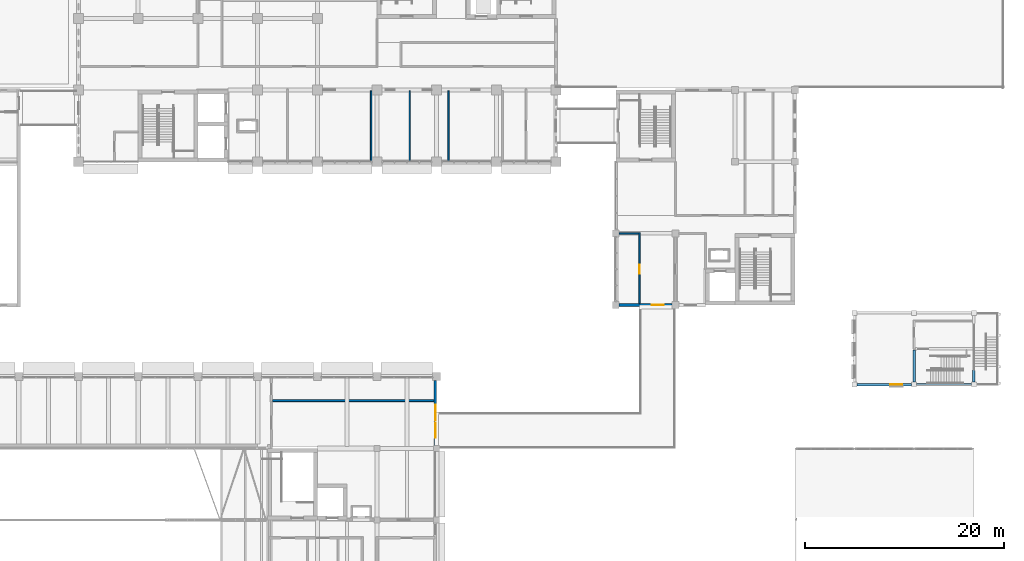
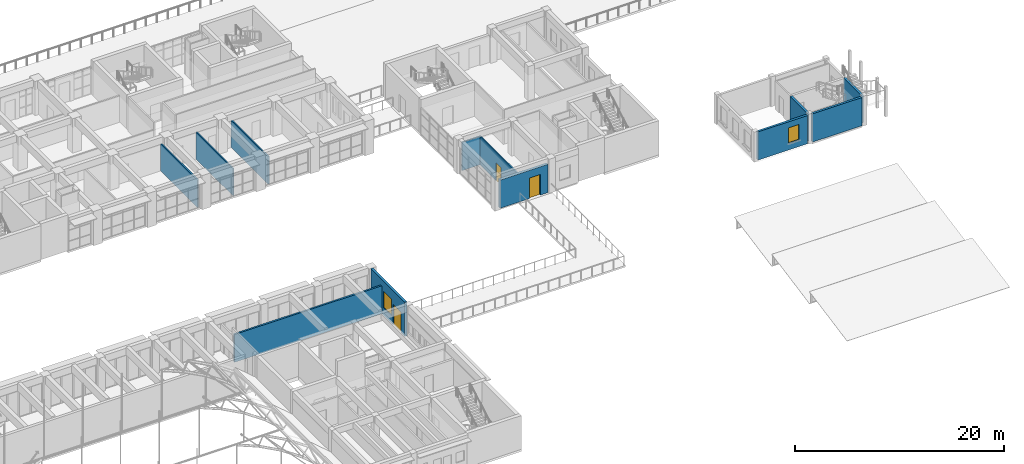
# One storey, part 75 of 101: 12 walls, 3 doors, 2 windows, 5 openings.
"""IFC4 building model written with IfcOpenShell, lengths in metres."""

from ifc_helpers import new_model, si_unit, direction, frame, frame_2d, origin, place, context, subcontext, project, spatial, rectangle, extrude, material, layer, layer_set, type_object, element, fill, save


model = new_model("IFC4")

# Units and contexts
model_context = context("Model", 3, precision=1e-05, world=origin(), true_north=direction((0.0, 1.0)))
body_context = subcontext(model_context, "Body", "Model", "MODEL_VIEW")
ifc_project = project(units=[si_unit("LENGTHUNIT", "METRE"), si_unit("AREAUNIT", "SQUARE_METRE"), si_unit("VOLUMEUNIT", "CUBIC_METRE"), si_unit("PLANEANGLEUNIT", "RADIAN"), si_unit("MASSUNIT", "GRAM", prefix="KILO")], contexts=[model_context])

# Site, building, storey
site_placement = place(None, origin())
site = spatial("IfcSite", under=ifc_project, at=site_placement, CompositionType="ELEMENT")
building_placement = place(site_placement, origin())
building = spatial("IfcBuilding", under=site, at=building_placement, Name="Laocheng Heights Fire and Rescue Headquarters", CompositionType="ELEMENT")
storey_placement = place(building_placement, frame((0.0, 0.0, 8.39990234375)))
storey = spatial("IfcBuildingStorey", under=building, at=storey_placement, Name="L02", CompositionType="ELEMENT", Elevation=8.39990234375)

# Wall, opening, door
ifc_material_1 = material(Name="Gypsum plaster")
ifc_layer_1 = layer(ifc_material_1, 0.010009765625, Name="PLASTER", Category="plaster")
ifc_material_2 = material(Name="Concrete blockwork MU10", Category="masonry")
ifc_layer_2 = layer(ifc_material_2, 0.1298828125, Name="BLOCKWORK", Category="masonry")
ifc_layer_3 = layer(ifc_material_1, 0.010009765625, Name="PLASTER", Category="plaster")
ifc_layer_set_1 = layer_set([ifc_layer_1, ifc_layer_2, ifc_layer_3], Name="Concrete blockwork MU10")
wall_type_1 = type_object("IfcWallType", Name="BLOCKWORK CORRIDOR WALL 150 EI 60 CREW WING", PredefinedType="PARTITIONING", material=ifc_layer_set_1)
wall_1_placement = place(storey_placement, frame((92.39990234375, 36.14990234375, 0.0), z_axis=(0.0, 0.0, 1.0), x_axis=(0.0, 1.0, 0.0)))
wall_1 = element("IfcWall", 1, at=wall_1_placement, inside=storey, type_object=wall_type_1, Name="Partition L02-001", PredefinedType="PARTITIONING", context=body_context, shape_type="SweptSolid", body=[
    extrude(rectangle(XDim=7.125, YDim=0.14990234375, at=frame_2d((3.5625, 0.0))), origin(), (0.0, 0.0, 1.0), 3.300048828125),
])
opening_1_placement = place(wall_1_placement, frame((3.0, 0.0, 0.0)))
opening_1 = element("IfcOpeningElement", 2, at=opening_1_placement, cuts=wall_1, Name="Opening L02-T01", PredefinedType="OPENING", context=body_context, shape_type="SweptSolid", body=[
    extrude(rectangle(XDim=0.89990234375, YDim=2.10009765625, at=frame_2d((0.449951171875, 1.050048828125))), frame((0.0, 0.0849609375, 0.0), z_axis=(0.0, -1.0, 0.0), x_axis=(1.0, 0.0, 0.0)), (0.0, 0.0, 1.0), 0.169921875),
])
ifc_material_3 = material(Name="Timber door leaf, veneered", Category="wood")
door_type_1 = type_object("IfcDoorType", Name="TIMBER DOOR 900x2100 EI 30 CREW WING", OperationType="SINGLE_SWING_LEFT", PredefinedType="DOOR", material=ifc_material_3)
door_1_placement = place(opening_1_placement, origin())
door_1 = element("IfcDoor", 3, at=door_1_placement, inside=storey, type_object=door_type_1, Name="Door L02-T01", OperationType="SINGLE_SWING_LEFT", OverallHeight=2.10009765625, OverallWidth=0.89990234375, PredefinedType="DOOR", context=body_context, shape_type="SweptSolid", body=[
    extrude(rectangle(XDim=0.89990234375, YDim=2.10009765625, at=frame_2d((0.449951171875, 1.050048828125))), frame((0.0, 0.02490234375, 0.0), z_axis=(0.0, -1.0, 0.0), x_axis=(1.0, 0.0, 0.0)), (0.0, 0.0, 1.0), 0.050048828125),
])
fill(opening_1, door_1)

# Walls
wall_2_placement = place(storey_placement, frame((90.35009765625, 43.199951171875, 0.0), z_axis=(0.0, 0.0, 1.0), x_axis=(1.0, 0.0, 0.0)))
element("IfcWall", 4, at=wall_2_placement, inside=storey, type_object=wall_type_1, Name="Partition L02-007", PredefinedType="PARTITIONING", context=body_context, shape_type="SweptSolid", body=[
    extrude(rectangle(XDim=1.974853515625, YDim=0.14990234375, at=frame_2d((0.9873046875, 0.0))), origin(), (0.0, 0.0, 1.0), 3.300048828125),
])
ifc_material_4 = material(Name="Gypsum plaster")
ifc_layer_4 = layer(ifc_material_4, 0.010009765625, Name="PLASTER", Category="plaster")
ifc_material_5 = material(Name="Concrete blockwork MU10", Category="masonry")
ifc_layer_5 = layer(ifc_material_5, 0.1298828125, Name="BLOCKWORK", Category="masonry")
ifc_layer_6 = layer(ifc_material_4, 0.010009765625, Name="PLASTER", Category="plaster")
ifc_layer_set_2 = layer_set([ifc_layer_4, ifc_layer_5, ifc_layer_6], Name="Concrete blockwork MU10")
wall_type_2 = type_object("IfcWallType", Name="BLOCKWORK CORRIDOR WALL 150 EI 60 HQ WING", PredefinedType="PARTITIONING", material=ifc_layer_set_2)
for number, where, z_axis, x_axis, name in (
    (5, (65.39990234375, 50.47509765625, 0.0), (0.0, 0.0, 1.0), (0.0, 1.0, 0.0), "Partition L02-007"),
    (6, (73.199951171875, 50.47509765625, 0.0), (0.0, 0.0, 1.0), (0.0, 1.0, 0.0), "Partition L02-011"),
):
    element("IfcWall", number, at=place(storey_placement, frame(where, z_axis=z_axis, x_axis=x_axis)), inside=storey, type_object=wall_type_2, Name=name, PredefinedType="PARTITIONING", context=body_context, shape_type="SweptSolid", body=[
        extrude(rectangle(XDim=7.0498046875, YDim=0.14990234375, at=frame_2d((3.52490234375, 0.0))), origin(), (0.0, 0.0, 1.0), 3.2001953125),
    ])
ifc_material_6 = material(Name="Gypsum plaster")
ifc_layer_7 = layer(ifc_material_6, 0.010009765625, Name="PLASTER", Category="plaster")
ifc_material_7 = material(Name="Concrete blockwork MU10", Category="masonry")
ifc_layer_8 = layer(ifc_material_7, 0.179931640625, Name="BLOCKWORK", Category="masonry")
ifc_layer_9 = layer(ifc_material_6, 0.010009765625, Name="PLASTER", Category="plaster")
ifc_layer_set_3 = layer_set([ifc_layer_7, ifc_layer_8, ifc_layer_9], Name="Concrete blockwork MU10")
wall_type_3 = type_object("IfcWallType", Name="BLOCKWORK FIRE PARTITION 200 EI 60 GALLERY", PredefinedType="PARTITIONING", material=ifc_layer_set_3)
wall_3_placement = place(storey_placement, frame((55.47509765625, 26.39990234375, 0.0), z_axis=(0.0, 0.0, 1.0), x_axis=(1.0, 0.0, 0.0)))
element("IfcWall", 7, at=wall_3_placement, inside=storey, type_object=wall_type_3, Name="Partition L02-007", PredefinedType="PARTITIONING", context=body_context, shape_type="SweptSolid", body=[
    extrude(rectangle(XDim=16.375, YDim=0.199951171875, at=frame_2d((8.1875, 0.0))), origin(), (0.0, 0.0, 1.0), 3.25),
])

# Wall, openings, door, window
ifc_material_8 = material(Name="Precast concrete C40/50", Category="concrete")
ifc_layer_10 = layer(ifc_material_8, 0.25)
ifc_layer_set_4 = layer_set([ifc_layer_10], Name="Precast concrete C40/50")
wall_type_4 = type_object("IfcWallType", Name="PRECAST PANEL WALL 250 GALLERY", PredefinedType="SOLIDWALL", material=ifc_layer_set_4)
wall_4_placement = place(storey_placement, frame((71.875, 21.89990234375, 0.0), z_axis=(0.0, 0.0, 1.0), x_axis=(0.0, 1.0, 0.0)))
wall_4 = element("IfcWall", 8, at=wall_4_placement, inside=storey, type_object=wall_type_4, Name="Gallery wall L02", PredefinedType="SOLIDWALL", context=body_context, shape_type="SweptSolid", body=[
    extrude(rectangle(XDim=6.5, YDim=0.25, at=frame_2d((3.25, 0.0))), origin(), (0.0, 0.0, 1.0), 4.0),
])
opening_2_placement = place(wall_4_placement, frame((0.75, 0.0, 0.0)))
opening_2 = element("IfcOpeningElement", 9, at=opening_2_placement, cuts=wall_4, Name="Opening L02-E02", PredefinedType="OPENING", context=body_context, shape_type="SweptSolid", body=[
    extrude(rectangle(XDim=1.5, YDim=2.39990234375, at=frame_2d((0.75, 1.199951171875))), frame((0.0, 0.135009765625, 0.0), z_axis=(0.0, -1.0, 0.0), x_axis=(1.0, 0.0, 0.0)), (0.0, 0.0, 1.0), 0.27001953125),
])
opening_3_placement = place(wall_4_placement, frame((2.5, 0.0, 0.89990234375)))
opening_3 = element("IfcOpeningElement", 10, at=opening_3_placement, cuts=wall_4, Name="Opening N3-E", PredefinedType="OPENING", context=body_context, shape_type="SweptSolid", body=[
    extrude(rectangle(XDim=1.60009765625, YDim=1.89990234375, at=frame_2d((0.800048828125, 0.949951171875))), frame((0.0, 0.135009765625, 0.0), z_axis=(0.0, -1.0, 0.0), x_axis=(1.0, 0.0, 0.0)), (0.0, 0.0, 1.0), 0.27001953125),
])
ifc_material_9 = material(Name="Aluminium framed glazed door, low-e double glazing", Category="aluminium")
door_type_2 = type_object("IfcDoorType", Name="BRIDGE DOOR DOUBLE GLAZED 1500 x 2400 EI 60", OperationType="DOUBLE_DOOR_SINGLE_SWING", PredefinedType="DOOR", material=ifc_material_9)
door_2_placement = place(opening_2_placement, frame((1.5, 0.0, 0.0), z_axis=(0.0, 0.0, 1.0), x_axis=(-1.0, 0.0, 0.0)))
door_2 = element("IfcDoor", 11, at=door_2_placement, inside=storey, type_object=door_type_2, Name="Bridge door L02-E02", OperationType="DOUBLE_DOOR_SINGLE_SWING", OverallHeight=2.39990234375, OverallWidth=1.5, PredefinedType="DOOR", context=body_context, shape_type="SweptSolid", body=[
    extrude(rectangle(XDim=1.5, YDim=2.39990234375, at=frame_2d((0.75, 1.199951171875))), frame((0.0, 0.02490234375, 0.0), z_axis=(0.0, -1.0, 0.0), x_axis=(1.0, 0.0, 0.0)), (0.0, 0.0, 1.0), 0.050048828125),
])
fill(opening_2, door_2)
ifc_material_10 = material(Name="Low-e double glazing in thermally broken aluminium frame", Category="aluminium")
window_type_1 = type_object("IfcWindowType", Name="GALLERY WINDOW 1600 x 1900 SILL 900", PartitioningType="SINGLE_PANEL", PredefinedType="WINDOW", material=ifc_material_10)
window_1_placement = place(opening_3_placement, origin())
window_1 = element("IfcWindow", 12, at=window_1_placement, inside=storey, type_object=window_type_1, Name="Gallery window L02", OverallHeight=1.89990234375, OverallWidth=1.60009765625, PartitioningType="SINGLE_PANEL", PredefinedType="WINDOW", context=body_context, shape_type="SweptSolid", body=[
    extrude(rectangle(XDim=1.60009765625, YDim=1.89990234375, at=frame_2d((0.800048828125, 0.949951171875))), frame((0.0, 0.030029296875, 0.0), z_axis=(0.0, -1.0, 0.0), x_axis=(1.0, 0.0, 0.0)), (0.0, 0.0, 1.0), 0.06005859375),
])
fill(opening_3, window_1)

# Wall, opening, door
ifc_material_11 = material(Name="Precast concrete C40/50", Category="concrete")
ifc_layer_11 = layer(ifc_material_11, 0.300048828125)
ifc_layer_set_5 = layer_set([ifc_layer_11], Name="Precast concrete C40/50")
wall_type_5 = type_object("IfcWallType", Name="PRECAST WALL PANEL CREW 300", PredefinedType="SOLIDWALL", material=ifc_layer_set_5)
wall_5_placement = place(storey_placement, frame((90.35009765625, 36.0, 0.0), z_axis=(0.0, 0.0, 1.0), x_axis=(1.0, 0.0, 0.0)))
wall_5 = element("IfcWall", 13, at=wall_5_placement, inside=storey, type_object=wall_type_5, Name="PRECAST WALL PANEL CREW CREW SOUTH L02", PredefinedType="SOLIDWALL", context=body_context, shape_type="SweptSolid", body=[
    extrude(rectangle(XDim=5.2998046875, YDim=0.300048828125, at=frame_2d((2.64990234375, 0.0))), origin(), (0.0, 0.0, 1.0), 3.300048828125),
])
opening_4_placement = place(wall_5_placement, frame((3.25, 0.0, 0.0)))
opening_4 = element("IfcOpeningElement", 14, at=opening_4_placement, cuts=wall_5, Name="Opening L02-W01", PredefinedType="OPENING", context=body_context, shape_type="SweptSolid", body=[
    extrude(rectangle(XDim=1.199951171875, YDim=2.39990234375, at=frame_2d((0.60009765625, 1.199951171875))), frame((0.0, 0.159912109375, 0.0), z_axis=(0.0, -1.0, 0.0), x_axis=(1.0, 0.0, 0.0)), (0.0, 0.0, 1.0), 0.320068359375),
])
ifc_material_12 = material(Name="Dark anodised aluminium framed glazed door, low-e glazing", Category="aluminium")
door_type_3 = type_object("IfcDoorType", Name="CREW BRIDGE DOOR 1200 x 2400", OperationType="SINGLE_SWING_LEFT", PredefinedType="DOOR", material=ifc_material_12)
door_3_placement = place(opening_4_placement, frame((1.199951171875, 0.0, 0.0), z_axis=(0.0, 0.0, 1.0), x_axis=(-1.0, 0.0, 0.0)))
door_3 = element("IfcDoor", 15, at=door_3_placement, inside=storey, type_object=door_type_3, Name="CREW BRIDGE DOOR CREW SOUTH L02", OperationType="SINGLE_SWING_RIGHT", OverallHeight=2.39990234375, OverallWidth=1.199951171875, PredefinedType="DOOR", context=body_context, shape_type="SweptSolid", body=[
    extrude(rectangle(XDim=1.199951171875, YDim=2.39990234375, at=frame_2d((0.60009765625, 1.199951171875))), frame((0.0, 0.02490234375, 0.0), z_axis=(0.0, -1.0, 0.0), x_axis=(1.0, 0.0, 0.0)), (0.0, 0.0, 1.0), 0.050048828125),
])
fill(opening_4, door_3)

# Wall, opening, window
ifc_material_13 = material(Name="Concrete C40", Category="concrete")
ifc_layer_12 = layer(ifc_material_13, 0.25)
ifc_layer_set_6 = layer_set([ifc_layer_12], Name="Concrete C40")
wall_type_6 = type_object("IfcWallType", Name="RC SHEAR WALL 250 BOARD-MARKED DRILL TOWER", PredefinedType="SHEAR", material=ifc_layer_set_6)
wall_6_placement = place(storey_placement, frame((114.25, 28.0, 2.10009765625), z_axis=(0.0, 0.0, 1.0), x_axis=(1.0, 0.0, 0.0)))
wall_6 = element("IfcWall", 16, at=wall_6_placement, inside=storey, type_object=wall_type_6, Name="Drill tower wall S F4", PredefinedType="SHEAR", context=body_context, shape_type="SweptSolid", body=[
    extrude(rectangle(XDim=5.5, YDim=0.25, at=frame_2d((2.75, 0.0))), origin(), (0.0, 0.0, 1.0), 3.300048828125),
])
opening_5_placement = place(wall_6_placement, frame((3.35009765625, 0.0, 0.800048828125)))
opening_5 = element("IfcOpeningElement", 17, at=opening_5_placement, cuts=wall_6, Name="Opening N5-L", PredefinedType="OPENING", context=body_context, shape_type="SweptSolid", body=[
    extrude(rectangle(XDim=1.199951171875, YDim=1.800048828125, at=frame_2d((0.60009765625, 0.89990234375))), frame((0.0, 0.135009765625, 0.0), z_axis=(0.0, -1.0, 0.0), x_axis=(1.0, 0.0, 0.0)), (0.0, 0.0, 1.0), 0.27001953125),
])
ifc_material_14 = material(Name="Steel frame, single glazing", Category="steel")
window_type_2 = type_object("IfcWindowType", Name="STEEL TRAINING WINDOW 1200 x 1800", PartitioningType="SINGLE_PANEL", PredefinedType="WINDOW", material=ifc_material_14)
window_2_placement = place(opening_5_placement, origin())
window_2 = element("IfcWindow", 18, at=window_2_placement, inside=storey, type_object=window_type_2, Name="Training window fourth floor south face", OverallHeight=1.800048828125, OverallWidth=1.199951171875, PartitioningType="SINGLE_PANEL", PredefinedType="WINDOW", context=body_context, shape_type="SweptSolid", body=[
    extrude(rectangle(XDim=1.199951171875, YDim=1.800048828125, at=frame_2d((0.60009765625, 0.89990234375))), frame((0.0, 0.030029296875, 0.0), z_axis=(0.0, -1.0, 0.0), x_axis=(1.0, 0.0, 0.0)), (0.0, 0.0, 1.0), 0.06005859375),
])
fill(opening_5, window_2)

# Walls
ifc_material_15 = material(Name="Concrete C50", Category="concrete")
ifc_layer_13 = layer(ifc_material_15, 0.25)
ifc_layer_set_7 = layer_set([ifc_layer_13], Name="Concrete C50")
wall_type_7 = type_object("IfcWallType", Name="RC STAIR ENCLOSURE WALL 250", PredefinedType="SHEAR", material=ifc_layer_set_7)
wall_7_placement = place(storey_placement, frame((120.25, 28.0, 2.10009765625), z_axis=(0.0, 0.0, 1.0), x_axis=(1.0, 0.0, 0.0)))
element("IfcWall", 19, at=wall_7_placement, inside=storey, type_object=wall_type_7, Name="Stair enclosure wall", PredefinedType="SHEAR", context=body_context, shape_type="SweptSolid", body=[
    extrude(rectangle(XDim=5.5, YDim=0.25, at=frame_2d((2.75, 0.0))), origin(), (0.0, 0.0, 1.0), 3.300048828125),
])
wall_8_placement = place(storey_placement, frame((126.0, 28.25, 2.10009765625), z_axis=(0.0, 0.0, 1.0), x_axis=(0.0, 1.0, 0.0)))
element("IfcWall", 20, at=wall_8_placement, inside=storey, type_object=wall_type_7, Name="Stair enclosure wall", PredefinedType="SHEAR", context=body_context, shape_type="SweptSolid", body=[
    extrude(rectangle(XDim=3.35009765625, YDim=0.25, at=frame_2d((1.675048828125, 0.0))), origin(), (0.0, 0.0, 1.0), 3.300048828125),
])
wall_9_placement = place(storey_placement, frame((120.0, 28.25, 2.10009765625), z_axis=(0.0, 0.0, 1.0), x_axis=(0.0, 1.0, 0.0)))
element("IfcWall", 21, at=wall_9_placement, inside=storey, type_object=wall_type_7, Name="Stair enclosure wall", PredefinedType="SHEAR", context=body_context, shape_type="SweptSolid", body=[
    extrude(rectangle(XDim=3.22509765625, YDim=0.25, at=frame_2d((1.612548828125, 0.0))), origin(), (0.0, 0.0, 1.0), 3.300048828125),
])
ifc_material_16 = material(Name="Gypsum plasterboard")
ifc_layer_14 = layer(ifc_material_16, 0.02490234375, Name="OUTER PLASTERBOARD", Category="board")
ifc_material_17 = material(Name="Steel studs with mineral wool fill", Category="steel")
ifc_layer_15 = layer(ifc_material_17, 0.070068359375, Name="STEEL STUD AND MINERAL WOOL", Category="insulation")
ifc_layer_16 = layer(ifc_material_16, 0.02490234375, Name="INNER PLASTERBOARD", Category="board")
ifc_layer_set_8 = layer_set([ifc_layer_14, ifc_layer_15, ifc_layer_16], Name="Gypsum board on steel stud")
wall_type_8 = type_object("IfcWallType", Name="STUD PARTITION 120 EI 45 HQ WING", PredefinedType="PARTITIONING", material=ifc_layer_set_8)
wall_10_placement = place(storey_placement, frame((69.300048828125, 50.47509765625, 0.0), z_axis=(0.0, 0.0, 1.0), x_axis=(0.0, 1.0, 0.0)))
element("IfcWall", 22, at=wall_10_placement, inside=storey, type_object=wall_type_8, Name="Partition L02-010", PredefinedType="PARTITIONING", context=body_context, shape_type="SweptSolid", body=[
    extrude(rectangle(XDim=7.0498046875, YDim=0.1201171875, at=frame_2d((3.52490234375, 0.0))), origin(), (0.0, 0.0, 1.0), 3.2001953125),
])

save(model, "model.ifc")
